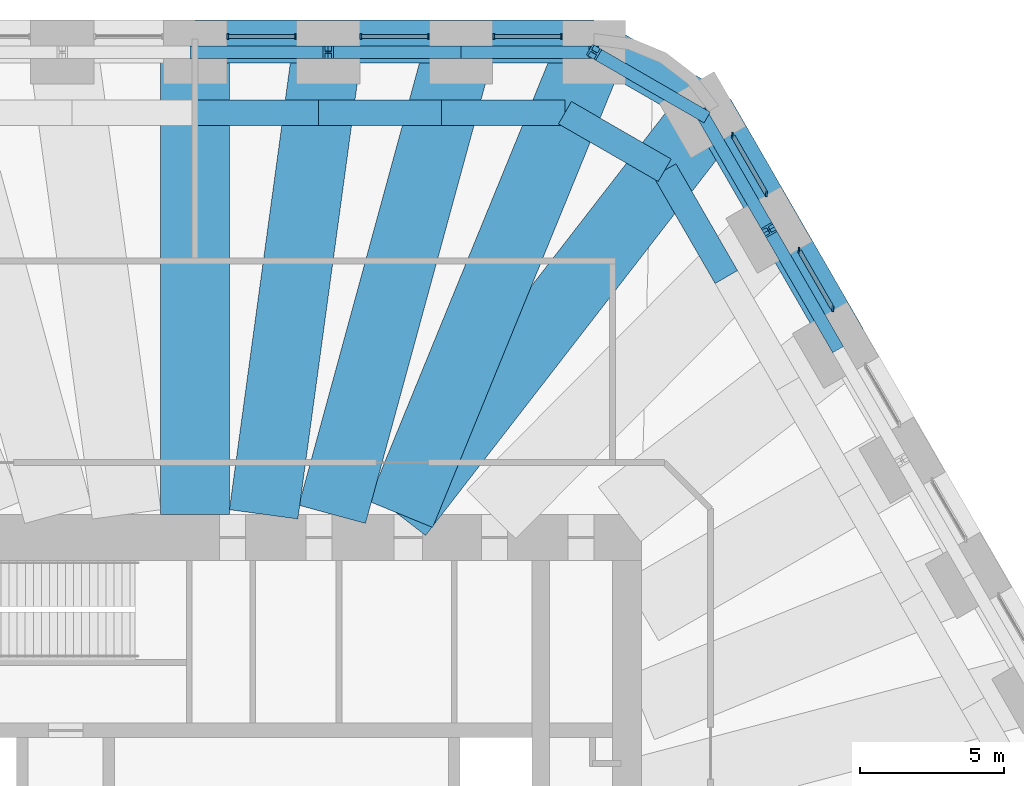
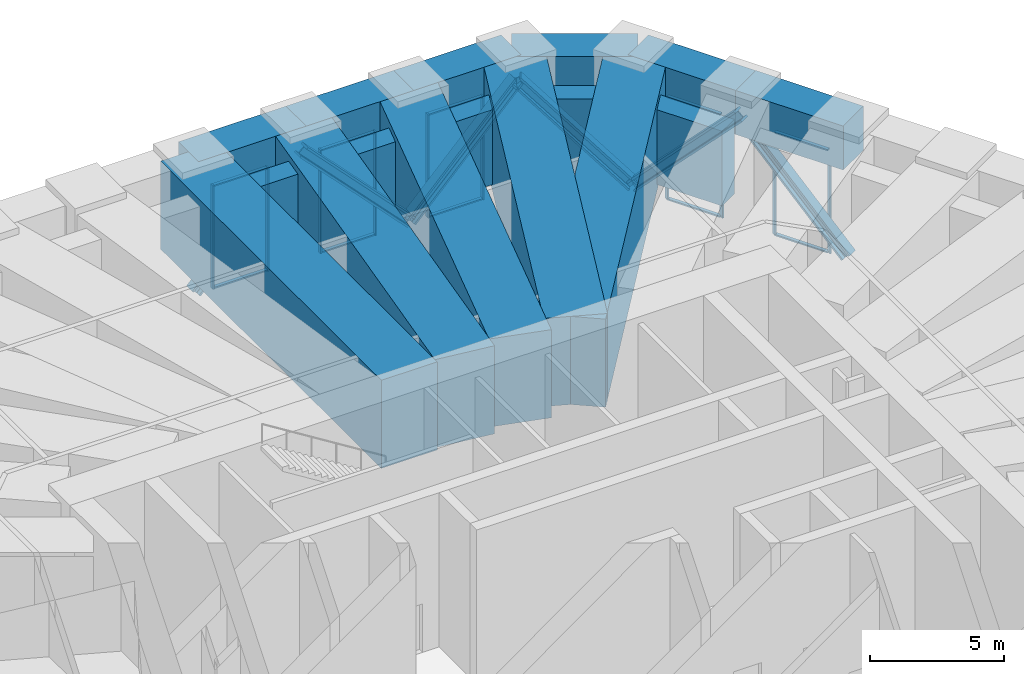
# One storey, part 9 of 14: 26 members, 16 beams, 5 elements without a shape of their own.
"""IFC4 building model written with IfcOpenShell, lengths in metres."""

from ifc_helpers import new_model, si_unit, direction, frame, origin, origin_2d, place, context, subcontext, project, spatial, rectangle, i_section, extrude, material, material_profile, profile_set, type_object, element, aggregate, save


model = new_model("IFC4")

# Units and contexts
model_context = context("Model", 3, precision=1e-05, world=origin(), true_north=direction((0.0, 1.0)))
body_context = subcontext(model_context, "Body", "Model", "MODEL_VIEW")
ifc_project = project(units=[si_unit("LENGTHUNIT", "METRE"), si_unit("AREAUNIT", "SQUARE_METRE"), si_unit("VOLUMEUNIT", "CUBIC_METRE"), si_unit("PLANEANGLEUNIT", "RADIAN"), si_unit("MASSUNIT", "GRAM", prefix="KILO")], contexts=[model_context])

# Site, building, storey
site_placement = place(None, origin())
site = spatial("IfcSite", under=ifc_project, at=site_placement, CompositionType="ELEMENT")
building_placement = place(site_placement, origin())
building = spatial("IfcBuilding", under=site, at=building_placement, Name="Tarfa Lantern Tower", CompositionType="ELEMENT")
storey_placement = place(building_placement, frame((0.0, 0.0, 299.5)))
storey = spatial("IfcBuildingStorey", under=building, at=storey_placement, Name="L68", CompositionType="ELEMENT", Elevation=299.5)

# Members
ifc_material_1 = material(Name="Steel S460M", Category="steel")
ifc_material_profile_1 = material_profile(ifc_material_1, i_section(OverallWidth=0.431884765625, OverallDepth=0.498046875, WebThickness=0.0556640625, FlangeThickness=0.0888671875, FilletRadius=0.02001953125, at=origin_2d()), Name="HD400x744")
ifc_profile_set_1 = profile_set([ifc_material_profile_1], Name="Steel S460M")
member_type_1 = type_object("IfcMemberType", Name="BT3 HD400x744", PredefinedType="BRACE", material=ifc_profile_set_1)
for number, where, z_axis, x_axis, name in (
    (1, (22.242431640625, 18.175048828125, 0.60009765625), (-0.346685053974, 0.600495604642, 0.720565404496), (-0.866032426089, -0.499987836815, 0.0), "Belt truss diagonal 5"),
    (2, (17.62353515625, 26.175048828125, 0.60009765625), (0.346717299558, -0.600487974203, 0.720556248342), (0.866009537788, 0.500027479704, 0.0), "Belt truss diagonal 6"),
):
    element("IfcMember", number, at=place(storey_placement, frame(where, z_axis=z_axis, x_axis=x_axis)), inside=storey, type_object=member_type_1, Name=name, PredefinedType="BRACE", context=body_context, shape_type="SweptSolid", body=[
        extrude(i_section(OverallWidth=0.431884765625, OverallDepth=0.498046875, WebThickness=0.0556640625, FlangeThickness=0.0888671875, FilletRadius=0.02001953125, at=origin_2d()), origin(), (0.0, 0.0, 1.0), 6.6611328125),
    ])
member_1_placement = place(storey_placement, frame((17.62353515625, 26.175048828125, 0.60009765625), z_axis=(-0.581552074424, 0.335777539277, 0.740979506363), x_axis=(-0.500020430026, -0.866013608182, 0.0)))
element("IfcMember", 3, at=member_1_placement, inside=storey, type_object=member_type_1, Name="Belt truss diagonal 7", PredefinedType="BRACE", context=body_context, shape_type="SweptSolid", body=[
    extrude(i_section(OverallWidth=0.431884765625, OverallDepth=0.498046875, WebThickness=0.0556640625, FlangeThickness=0.0888671875, FilletRadius=0.02001953125, at=origin_2d()), origin(), (0.0, 0.0, 1.0), 6.4775390625),
])
member_2_placement = place(storey_placement, frame((9.237548828125, 28.35009765625, 0.60009765625), z_axis=(0.693397247337, 0.0, 0.720555519988), x_axis=(0.0, 1.0, 0.0)))
element("IfcMember", 4, at=member_2_placement, inside=storey, type_object=member_type_1, Name="Belt truss diagonal 8", PredefinedType="BRACE", context=body_context, shape_type="SweptSolid", body=[
    extrude(i_section(OverallWidth=0.431884765625, OverallDepth=0.498046875, WebThickness=0.0556640625, FlangeThickness=0.0888671875, FilletRadius=0.02001953125, at=origin_2d()), origin(), (0.0, 0.0, 1.0), 6.661376953125),
])
member_3_placement = place(storey_placement, frame((9.237548828125, 28.35009765625, 0.60009765625), z_axis=(-0.693378217486, 0.0, 0.720573832106), x_axis=(0.0, -1.0, 0.0)))
element("IfcMember", 5, at=member_3_placement, inside=storey, type_object=member_type_1, Name="Belt truss diagonal 9", PredefinedType="BRACE", context=body_context, shape_type="SweptSolid", body=[
    extrude(i_section(OverallWidth=0.431884765625, OverallDepth=0.498046875, WebThickness=0.0556640625, FlangeThickness=0.0888671875, FilletRadius=0.02001953125, at=origin_2d()), origin(), (0.0, 0.0, 1.0), 6.6611328125),
])
member_4_placement = place(storey_placement, frame((0.0, 28.35009765625, 0.60009765625), z_axis=(0.693397247337, 0.0, 0.720555519988), x_axis=(0.0, 1.0, 0.0)))
element("IfcMember", 6, at=member_4_placement, inside=storey, type_object=member_type_1, Name="Belt truss diagonal 10", PredefinedType="BRACE", context=body_context, shape_type="SweptSolid", body=[
    extrude(i_section(OverallWidth=0.431884765625, OverallDepth=0.498046875, WebThickness=0.0556640625, FlangeThickness=0.0888671875, FilletRadius=0.02001953125, at=origin_2d()), origin(), (0.0, 0.0, 1.0), 6.661376953125),
])

# Curtain wall, members
ifc_material_2 = material(Name="Aluminium framed curtain wall", Category="aluminium")
curtain_wall_type = type_object("IfcCurtainWallType", Name="CW6 LOUVRED SCREEN WALL 4700", PredefinedType="USERDEFINED", material=ifc_material_2)
curtain_wall_1_placement = place(storey_placement, origin())
curtain_wall_1 = element("IfcCurtainWall", 7, at=curtain_wall_1_placement, inside=storey, type_object=curtain_wall_type, Name="CW6 NE L68", ObjectType="CURTAIN WALL", PredefinedType="USERDEFINED")
ifc_material_3 = material(Name="Aluminium mullion", Category="aluminium")
ifc_material_profile_2 = material_profile(ifc_material_3, rectangle(XDim=0.06494140625, YDim=0.199951171875, at=origin_2d()), Name="AL MULLION 65x200")
ifc_profile_set_2 = profile_set([ifc_material_profile_2], Name="Aluminium mullion")
member_type_2 = type_object("IfcMemberType", Name="CWM1 MULLION 65x200", PredefinedType="MULLION", material=ifc_profile_set_2)
member_5_placement = place(storey_placement, frame((22.152587890625, 19.4306640625, 0.0), z_axis=(0.0, 0.0, 1.0), x_axis=(1.0, 0.0, 0.0)))
member_5 = element("IfcMember", 8, at=member_5_placement, type_object=member_type_2, Name="CW6 mullion 1", PredefinedType="MULLION", context=body_context, shape_type="SweptSolid", body=[
    extrude(rectangle(XDim=0.06494140625, YDim=0.199951171875, at=origin_2d()), origin(), (0.0, 0.0, 1.0), 4.699951171875),
])
member_6_placement = place(storey_placement, frame((20.9755859375, 21.46923828125, 0.0), z_axis=(0.0, 0.0, 1.0), x_axis=(1.0, 0.0, 0.0)))
member_6 = element("IfcMember", 9, at=member_6_placement, type_object=member_type_2, Name="CW6 mullion 2", PredefinedType="MULLION", context=body_context, shape_type="SweptSolid", body=[
    extrude(rectangle(XDim=0.06494140625, YDim=0.199951171875, at=origin_2d()), origin(), (0.0, 0.0, 1.0), 4.699951171875),
])

curtain_wall_2_placement = place(storey_placement, origin())
curtain_wall_2 = element("IfcCurtainWall", 10, at=curtain_wall_2_placement, inside=storey, type_object=curtain_wall_type, Name="CW6 NE L68", ObjectType="CURTAIN WALL", PredefinedType="USERDEFINED")
member_7_placement = place(storey_placement, frame((19.843017578125, 23.4306640625, 0.0), z_axis=(0.0, 0.0, 1.0), x_axis=(1.0, 0.0, 0.0)))
member_7 = element("IfcMember", 11, at=member_7_placement, type_object=member_type_2, Name="CW6 mullion 1", PredefinedType="MULLION", context=body_context, shape_type="SweptSolid", body=[
    extrude(rectangle(XDim=0.06494140625, YDim=0.199951171875, at=origin_2d()), origin(), (0.0, 0.0, 1.0), 4.699951171875),
])
member_8_placement = place(storey_placement, frame((18.666259765625, 25.46923828125, 0.0), z_axis=(0.0, 0.0, 1.0), x_axis=(1.0, 0.0, 0.0)))
member_8 = element("IfcMember", 12, at=member_8_placement, type_object=member_type_2, Name="CW6 mullion 2", PredefinedType="MULLION", context=body_context, shape_type="SweptSolid", body=[
    extrude(rectangle(XDim=0.06494140625, YDim=0.199951171875, at=origin_2d()), origin(), (0.0, 0.0, 1.0), 4.699951171875),
])

curtain_wall_3_placement = place(storey_placement, origin())
curtain_wall_3 = element("IfcCurtainWall", 13, at=curtain_wall_3_placement, inside=storey, type_object=curtain_wall_type, Name="CW6 N L68", ObjectType="CURTAIN WALL", PredefinedType="USERDEFINED")
member_9_placement = place(storey_placement, frame((12.723876953125, 28.89990234375, 0.0), z_axis=(0.0, 0.0, 1.0), x_axis=(1.0, 0.0, 0.0)))
member_9 = element("IfcMember", 14, at=member_9_placement, type_object=member_type_2, Name="CW6 mullion 1", PredefinedType="MULLION", context=body_context, shape_type="SweptSolid", body=[
    extrude(rectangle(XDim=0.06494140625, YDim=0.199951171875, at=origin_2d()), origin(), (0.0, 0.0, 1.0), 4.699951171875),
])
member_10_placement = place(storey_placement, frame((10.3701171875, 28.89990234375, 0.0), z_axis=(0.0, 0.0, 1.0), x_axis=(1.0, 0.0, 0.0)))
member_10 = element("IfcMember", 15, at=member_10_placement, type_object=member_type_2, Name="CW6 mullion 2", PredefinedType="MULLION", context=body_context, shape_type="SweptSolid", body=[
    extrude(rectangle(XDim=0.06494140625, YDim=0.199951171875, at=origin_2d()), origin(), (0.0, 0.0, 1.0), 4.699951171875),
])

curtain_wall_4_placement = place(storey_placement, origin())
curtain_wall_4 = element("IfcCurtainWall", 16, at=curtain_wall_4_placement, inside=storey, type_object=curtain_wall_type, Name="CW6 N L68", ObjectType="CURTAIN WALL", PredefinedType="USERDEFINED")
member_11_placement = place(storey_placement, frame((8.105224609375, 28.89990234375, 0.0), z_axis=(0.0, 0.0, 1.0), x_axis=(1.0, 0.0, 0.0)))
member_11 = element("IfcMember", 17, at=member_11_placement, type_object=member_type_2, Name="CW6 mullion 1", PredefinedType="MULLION", context=body_context, shape_type="SweptSolid", body=[
    extrude(rectangle(XDim=0.06494140625, YDim=0.199951171875, at=origin_2d()), origin(), (0.0, 0.0, 1.0), 4.699951171875),
])
member_12_placement = place(storey_placement, frame((5.751220703125, 28.89990234375, 0.0), z_axis=(0.0, 0.0, 1.0), x_axis=(1.0, 0.0, 0.0)))
member_12 = element("IfcMember", 18, at=member_12_placement, type_object=member_type_2, Name="CW6 mullion 2", PredefinedType="MULLION", context=body_context, shape_type="SweptSolid", body=[
    extrude(rectangle(XDim=0.06494140625, YDim=0.199951171875, at=origin_2d()), origin(), (0.0, 0.0, 1.0), 4.699951171875),
])

curtain_wall_5_placement = place(storey_placement, origin())
curtain_wall_5 = element("IfcCurtainWall", 19, at=curtain_wall_5_placement, inside=storey, type_object=curtain_wall_type, Name="CW6 N L68", ObjectType="CURTAIN WALL", PredefinedType="USERDEFINED")
member_13_placement = place(storey_placement, frame((3.486328125, 28.89990234375, 0.0), z_axis=(0.0, 0.0, 1.0), x_axis=(1.0, 0.0, 0.0)))
member_13 = element("IfcMember", 20, at=member_13_placement, type_object=member_type_2, Name="CW6 mullion 1", PredefinedType="MULLION", context=body_context, shape_type="SweptSolid", body=[
    extrude(rectangle(XDim=0.06494140625, YDim=0.199951171875, at=origin_2d()), origin(), (0.0, 0.0, 1.0), 4.699951171875),
])
member_14_placement = place(storey_placement, frame((1.132568359375, 28.89990234375, 0.0), z_axis=(0.0, 0.0, 1.0), x_axis=(1.0, 0.0, 0.0)))
member_14 = element("IfcMember", 21, at=member_14_placement, type_object=member_type_2, Name="CW6 mullion 2", PredefinedType="MULLION", context=body_context, shape_type="SweptSolid", body=[
    extrude(rectangle(XDim=0.06494140625, YDim=0.199951171875, at=origin_2d()), origin(), (0.0, 0.0, 1.0), 4.699951171875),
])

# Member
ifc_material_4 = material(Name="Aluminium transom", Category="aluminium")
ifc_material_profile_3 = material_profile(ifc_material_4, rectangle(XDim=0.14990234375, YDim=0.06494140625, at=origin_2d()), Name="AL TRANSOM 150x65")
ifc_profile_set_3 = profile_set([ifc_material_profile_3], Name="Aluminium transom")
member_type_3 = type_object("IfcMemberType", Name="CWT1 TRANSOM 150x65", PredefinedType="USERDEFINED", material=ifc_profile_set_3)
member_15_placement = place(storey_placement, frame((22.13623046875, 19.458984375, 0.032470703125), z_axis=(-0.499959451571, 0.866048813165, 0.0), x_axis=(-0.866048813165, -0.499959451571, 0.0)))
member_15 = element("IfcMember", 22, at=member_15_placement, type_object=member_type_3, Name="CW6 transom 1.1", ObjectType="TRANSOM", PredefinedType="USERDEFINED", context=body_context, shape_type="SweptSolid", body=[
    extrude(rectangle(XDim=0.14990234375, YDim=0.06494140625, at=origin_2d()), origin(), (0.0, 0.0, 1.0), 2.288818359375),
])

member_16_placement = place(storey_placement, frame((22.13623046875, 19.458984375, 4.66748046875), z_axis=(-0.499959451571, 0.866048813165, 0.0), x_axis=(-0.866048813165, -0.499959451571, 0.0)))
member_16 = element("IfcMember", 23, at=member_16_placement, type_object=member_type_3, Name="CW6 transom 1.2", ObjectType="TRANSOM", PredefinedType="USERDEFINED", context=body_context, shape_type="SweptSolid", body=[
    extrude(rectangle(XDim=0.14990234375, YDim=0.06494140625, at=origin_2d()), origin(), (0.0, 0.0, 1.0), 2.288818359375),
])

aggregate(curtain_wall_1, [member_5, member_6, member_15, member_16])

member_17_placement = place(storey_placement, frame((19.826904296875, 23.458984375, 0.032470703125), z_axis=(-0.500039451542, 0.866002625228, 0.0), x_axis=(-0.866002625228, -0.500039451542, 0.0)))
member_17 = element("IfcMember", 24, at=member_17_placement, type_object=member_type_3, Name="CW6 transom 1.1", ObjectType="TRANSOM", PredefinedType="USERDEFINED", context=body_context, shape_type="SweptSolid", body=[
    extrude(rectangle(XDim=0.14990234375, YDim=0.06494140625, at=origin_2d()), origin(), (0.0, 0.0, 1.0), 2.288818359375),
])

member_18_placement = place(storey_placement, frame((19.826904296875, 23.458984375, 4.66748046875), z_axis=(-0.500039451542, 0.866002625228, 0.0), x_axis=(-0.866002625228, -0.500039451542, 0.0)))
member_18 = element("IfcMember", 25, at=member_18_placement, type_object=member_type_3, Name="CW6 transom 1.2", ObjectType="TRANSOM", PredefinedType="USERDEFINED", context=body_context, shape_type="SweptSolid", body=[
    extrude(rectangle(XDim=0.14990234375, YDim=0.06494140625, at=origin_2d()), origin(), (0.0, 0.0, 1.0), 2.288818359375),
])

aggregate(curtain_wall_2, [member_7, member_8, member_17, member_18])

member_19_placement = place(storey_placement, frame((12.69140625, 28.89990234375, 0.032470703125), z_axis=(-1.0, 0.0, 0.0), x_axis=(0.0, -1.0, 0.0)))
member_19 = element("IfcMember", 26, at=member_19_placement, type_object=member_type_3, Name="CW6 transom 1.1", ObjectType="TRANSOM", PredefinedType="USERDEFINED", context=body_context, shape_type="SweptSolid", body=[
    extrude(rectangle(XDim=0.14990234375, YDim=0.06494140625, at=origin_2d()), origin(), (0.0, 0.0, 1.0), 2.288818359375),
])

member_20_placement = place(storey_placement, frame((12.69140625, 28.89990234375, 4.66748046875), z_axis=(-1.0, 0.0, 0.0), x_axis=(0.0, -1.0, 0.0)))
member_20 = element("IfcMember", 27, at=member_20_placement, type_object=member_type_3, Name="CW6 transom 1.2", ObjectType="TRANSOM", PredefinedType="USERDEFINED", context=body_context, shape_type="SweptSolid", body=[
    extrude(rectangle(XDim=0.14990234375, YDim=0.06494140625, at=origin_2d()), origin(), (0.0, 0.0, 1.0), 2.288818359375),
])

aggregate(curtain_wall_3, [member_9, member_10, member_19, member_20])

member_21_placement = place(storey_placement, frame((8.072509765625, 28.89990234375, 0.032470703125), z_axis=(-1.0, 0.0, 0.0), x_axis=(0.0, -1.0, 0.0)))
member_21 = element("IfcMember", 28, at=member_21_placement, type_object=member_type_3, Name="CW6 transom 1.1", ObjectType="TRANSOM", PredefinedType="USERDEFINED", context=body_context, shape_type="SweptSolid", body=[
    extrude(rectangle(XDim=0.14990234375, YDim=0.06494140625, at=origin_2d()), origin(), (0.0, 0.0, 1.0), 2.288818359375),
])

member_22_placement = place(storey_placement, frame((8.072509765625, 28.89990234375, 4.66748046875), z_axis=(-1.0, 0.0, 0.0), x_axis=(0.0, -1.0, 0.0)))
member_22 = element("IfcMember", 29, at=member_22_placement, type_object=member_type_3, Name="CW6 transom 1.2", ObjectType="TRANSOM", PredefinedType="USERDEFINED", context=body_context, shape_type="SweptSolid", body=[
    extrude(rectangle(XDim=0.14990234375, YDim=0.06494140625, at=origin_2d()), origin(), (0.0, 0.0, 1.0), 2.288818359375),
])

aggregate(curtain_wall_4, [member_11, member_12, member_21, member_22])

member_23_placement = place(storey_placement, frame((3.453857421875, 28.89990234375, 0.032470703125), z_axis=(-1.0, 0.0, 0.0), x_axis=(0.0, -1.0, 0.0)))
member_23 = element("IfcMember", 30, at=member_23_placement, type_object=member_type_3, Name="CW6 transom 1.1", ObjectType="TRANSOM", PredefinedType="USERDEFINED", context=body_context, shape_type="SweptSolid", body=[
    extrude(rectangle(XDim=0.14990234375, YDim=0.06494140625, at=origin_2d()), origin(), (0.0, 0.0, 1.0), 2.288818359375),
])

member_24_placement = place(storey_placement, frame((3.453857421875, 28.89990234375, 4.66748046875), z_axis=(-1.0, 0.0, 0.0), x_axis=(0.0, -1.0, 0.0)))
member_24 = element("IfcMember", 31, at=member_24_placement, type_object=member_type_3, Name="CW6 transom 1.2", ObjectType="TRANSOM", PredefinedType="USERDEFINED", context=body_context, shape_type="SweptSolid", body=[
    extrude(rectangle(XDim=0.14990234375, YDim=0.06494140625, at=origin_2d()), origin(), (0.0, 0.0, 1.0), 2.288818359375),
])

aggregate(curtain_wall_5, [member_13, member_14, member_23, member_24])

# Beams
ifc_material_5 = material(Name="Concrete C80/95", Category="concrete")
ifc_material_profile_4 = material_profile(ifc_material_5, rectangle(XDim=1.5, YDim=2.0, at=origin_2d()), Name="RC 1500x2000")
ifc_profile_set_4 = profile_set([ifc_material_profile_4], Name="Concrete C80/95")
beam_type_1 = type_object("IfcBeamType", Name="RB3 RC 1500x2000", PredefinedType="BEAM", material=ifc_profile_set_4)
for number, where, z_axis, x_axis, name in (
    (32, (22.562744140625, 18.360107421875, 5.699951171875), (-0.499987836815, 0.866032426089, 0.0), (-0.866032426089, -0.499987836815, 0.0), "Edge beam NE4"),
    (33, (20.25341796875, 22.360107421875, 5.699951171875), (-0.499987836815, 0.866032426089, 0.0), (-0.866032426089, -0.499987836815, 0.0), "Edge beam NE5"),
):
    element("IfcBeam", number, at=place(storey_placement, frame(where, z_axis=z_axis, x_axis=x_axis)), inside=storey, type_object=beam_type_1, Name=name, PredefinedType="BEAM", context=body_context, shape_type="SweptSolid", body=[
        extrude(rectangle(XDim=1.5, YDim=2.0, at=origin_2d()), origin(), (0.0, 0.0, 1.0), 4.61865234375),
    ])
beam_1_placement = place(storey_placement, frame((17.944091796875, 26.360107421875, 5.699951171875), z_axis=(-0.866038294681, 0.499977671647, 0.0), x_axis=(-0.499977671647, -0.866038294681, 0.0)))
element("IfcBeam", 34, at=beam_1_placement, inside=storey, type_object=beam_type_1, Name="Edge beam NE6", PredefinedType="BEAM", context=body_context, shape_type="SweptSolid", body=[
    extrude(rectangle(XDim=1.5, YDim=2.0, at=origin_2d()), origin(), (0.0, 0.0, 1.0), 4.719970703125),
])
beam_2_placement = place(storey_placement, frame((13.8564453125, 28.719970703125, 5.699951171875), z_axis=(-1.0, 0.0, 0.0), x_axis=(0.0, -1.0, 0.0)))
element("IfcBeam", 35, at=beam_2_placement, inside=storey, type_object=beam_type_1, Name="Edge beam N0", PredefinedType="BEAM", context=body_context, shape_type="SweptSolid", body=[
    extrude(rectangle(XDim=1.5, YDim=2.0, at=origin_2d()), origin(), (0.0, 0.0, 1.0), 4.618896484375),
])
beam_3_placement = place(storey_placement, frame((9.237548828125, 28.719970703125, 5.699951171875), z_axis=(-1.0, 0.0, 0.0), x_axis=(0.0, -1.0, 0.0)))
element("IfcBeam", 36, at=beam_3_placement, inside=storey, type_object=beam_type_1, Name="Edge beam N1", PredefinedType="BEAM", context=body_context, shape_type="SweptSolid", body=[
    extrude(rectangle(XDim=1.5, YDim=2.0, at=origin_2d()), origin(), (0.0, 0.0, 1.0), 4.61865234375),
])
beam_4_placement = place(storey_placement, frame((4.618896484375, 28.719970703125, 5.699951171875), z_axis=(-1.0, 0.0, 0.0), x_axis=(0.0, -1.0, 0.0)))
element("IfcBeam", 37, at=beam_4_placement, inside=storey, type_object=beam_type_1, Name="Edge beam N2", PredefinedType="BEAM", context=body_context, shape_type="SweptSolid", body=[
    extrude(rectangle(XDim=1.5, YDim=2.0, at=origin_2d()), origin(), (0.0, 0.0, 1.0), 4.618896484375),
])
ifc_material_profile_5 = material_profile(ifc_material_5, rectangle(XDim=0.89990234375, YDim=3.39990234375, at=origin_2d()), Name="RC 900x3400")
ifc_profile_set_5 = profile_set([ifc_material_profile_5], Name="Concrete C80/95")
beam_type_2 = type_object("IfcBeamType", Name="RG3 RC 900x3400", PredefinedType="BEAM", material=ifc_profile_set_5)
beam_5_placement = place(storey_placement, frame((18.451171875, 20.541748046875, 4.699951171875), z_axis=(-0.500026801138, 0.866009929587, 0.0), x_axis=(-0.866009929587, -0.500026801138, 0.0)))
element("IfcBeam", 38, at=beam_5_placement, inside=storey, type_object=beam_type_2, Name="Ring girder NE5", PredefinedType="BEAM", context=body_context, shape_type="SweptSolid", body=[
    extrude(rectangle(XDim=0.89990234375, YDim=3.39990234375, at=origin_2d()), origin(), (0.0, 0.0, 1.0), 4.281982421875),
])
beam_6_placement = place(storey_placement, frame((16.31005859375, 24.25, 4.699951171875), z_axis=(-0.866026010844, 0.49999894854, 0.0), x_axis=(-0.49999894854, -0.866026010844, 0.0)))
element("IfcBeam", 39, at=beam_6_placement, inside=storey, type_object=beam_type_2, Name="Ring girder NE6", PredefinedType="BEAM", context=body_context, shape_type="SweptSolid", body=[
    extrude(rectangle(XDim=0.89990234375, YDim=3.39990234375, at=origin_2d()), origin(), (0.0, 0.0, 1.0), 4.0),
])
for number, where, z_axis, x_axis, name in (
    (40, (12.845947265625, 26.25, 4.699951171875), (-1.0, 0.0, 0.0), (0.0, -1.0, 0.0), "Ring girder N0"),
    (41, (8.56396484375, 26.25, 4.699951171875), (-1.0, 0.0, 0.0), (0.0, -1.0, 0.0), "Ring girder N1"),
    (42, (4.281982421875, 26.25, 4.699951171875), (-1.0, 0.0, 0.0), (0.0, -1.0, 0.0), "Ring girder N2"),
):
    element("IfcBeam", number, at=place(storey_placement, frame(where, z_axis=z_axis, x_axis=x_axis)), inside=storey, type_object=beam_type_2, Name=name, PredefinedType="BEAM", context=body_context, shape_type="SweptSolid", body=[
        extrude(rectangle(XDim=0.89990234375, YDim=3.39990234375, at=origin_2d()), origin(), (0.0, 0.0, 1.0), 4.281982421875),
    ])
ifc_material_profile_6 = material_profile(ifc_material_5, rectangle(XDim=2.39990234375, YDim=4.0, at=origin_2d()), Name="RC 2400x4000")
ifc_profile_set_6 = profile_set([ifc_material_profile_6], Name="Concrete C80/95")
beam_type_3 = type_object("IfcBeamType", Name="TG3 RC 2400x4000", PredefinedType="BEAM", material=ifc_profile_set_6)
beam_7_placement = place(storey_placement, frame((17.944091796875, 26.360107421875, 4.699951171875), z_axis=(-0.612252108076, -0.790662605766, 0.0), x_axis=(0.790662605766, -0.612252108076, 0.0)))
element("IfcBeam", 43, at=beam_7_placement, inside=storey, type_object=beam_type_3, Name="Transfer girder NE6", PredefinedType="BEAM", context=body_context, shape_type="SweptSolid", body=[
    extrude(rectangle(XDim=2.39990234375, YDim=4.0, at=origin_2d()), origin(), (0.0, 0.0, 1.0), 17.78271484375),
])
beam_8_placement = place(storey_placement, frame((13.8564453125, 28.719970703125, 4.699951171875), z_axis=(-0.378611411494, -0.925555724463, 0.0), x_axis=(0.925555724463, -0.378611411494, 0.0)))
element("IfcBeam", 44, at=beam_8_placement, inside=storey, type_object=beam_type_3, Name="Transfer girder N0", PredefinedType="BEAM", context=body_context, shape_type="SweptSolid", body=[
    extrude(rectangle(XDim=2.39990234375, YDim=4.0, at=origin_2d()), origin(), (0.0, 0.0, 1.0), 17.74072265625),
])
beam_9_placement = place(storey_placement, frame((9.237548828125, 28.719970703125, 4.699951171875), z_axis=(-0.263096771383, -0.964769448567, 0.0), x_axis=(0.964769448567, -0.263096771383, 0.0)))
element("IfcBeam", 45, at=beam_9_placement, inside=storey, type_object=beam_type_3, Name="Transfer girder N1", PredefinedType="BEAM", context=body_context, shape_type="SweptSolid", body=[
    extrude(rectangle(XDim=2.39990234375, YDim=4.0, at=origin_2d()), origin(), (0.0, 0.0, 1.0), 17.01953125),
])
beam_10_placement = place(storey_placement, frame((4.618896484375, 28.719970703125, 4.699951171875), z_axis=(-0.135109260201, -0.990830705927, 0.0), x_axis=(0.990830705927, -0.135109260201, 0.0)))
element("IfcBeam", 46, at=beam_10_placement, inside=storey, type_object=beam_type_3, Name="Transfer girder N2", PredefinedType="BEAM", context=body_context, shape_type="SweptSolid", body=[
    extrude(rectangle(XDim=2.39990234375, YDim=4.0, at=origin_2d()), origin(), (0.0, 0.0, 1.0), 16.57177734375),
])
beam_11_placement = place(storey_placement, frame((0.0, 28.719970703125, 4.699951171875), z_axis=(0.0, -1.0, 0.0), x_axis=(1.0, 0.0, 0.0)))
element("IfcBeam", 47, at=beam_11_placement, inside=storey, type_object=beam_type_3, Name="Transfer girder N3", PredefinedType="BEAM", context=body_context, shape_type="SweptSolid", body=[
    extrude(rectangle(XDim=2.39990234375, YDim=4.0, at=origin_2d()), origin(), (0.0, 0.0, 1.0), 16.419921875),
])

save(model, "model.ifc")
